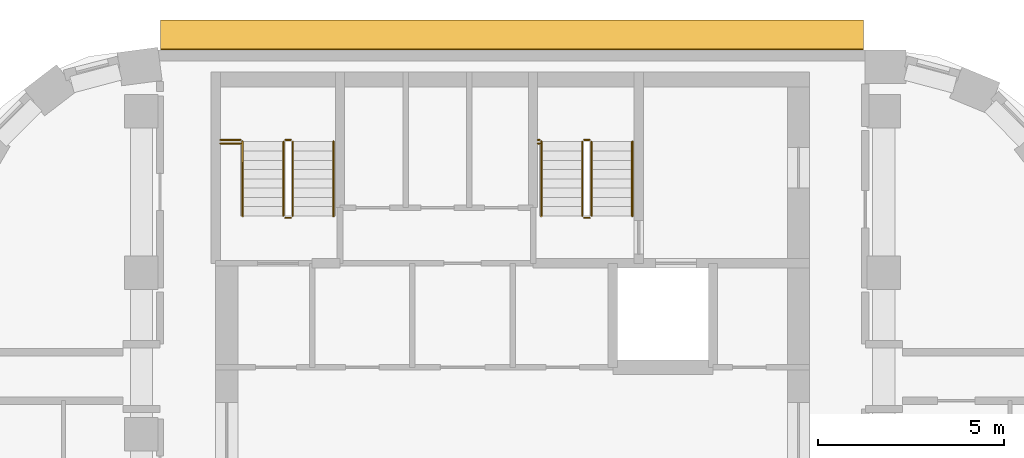
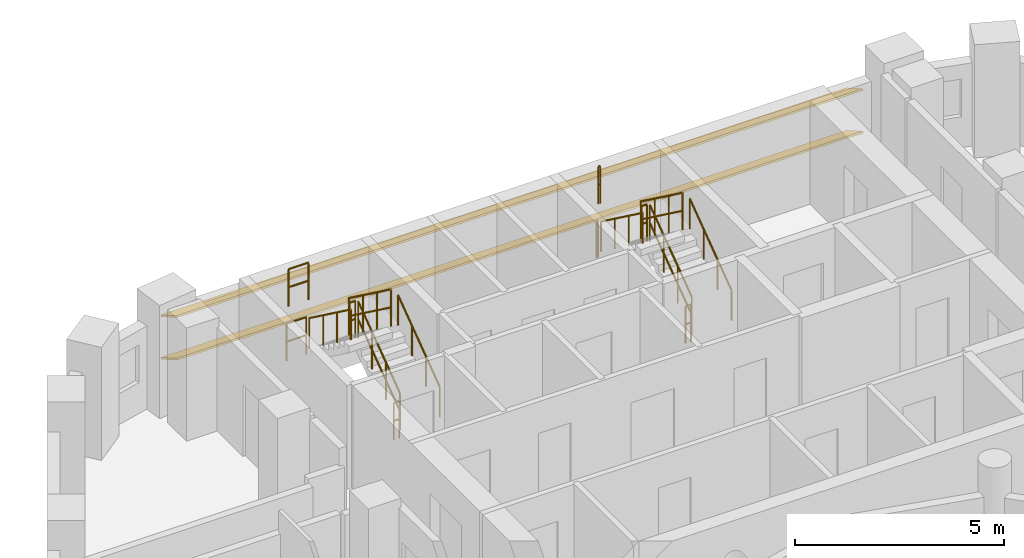
# One storey, part 12 of 12: 16 railings, 2 shading devices.
"""IFC4 building model written with IfcOpenShell, lengths in metres."""

from ifc_helpers import new_model, si_unit, direction, frame, origin, origin_2d, place, context, subcontext, project, spatial, rectangle, circle, extrude, material, material_profile, profile_set, type_object, element, save


model = new_model("IFC4")

# Units and contexts
model_context = context("Model", 3, precision=1e-05, world=origin(), true_north=direction((0.0, 1.0)))
body_context = subcontext(model_context, "Body", "Model", "MODEL_VIEW")
ifc_project = project(units=[si_unit("LENGTHUNIT", "METRE"), si_unit("AREAUNIT", "SQUARE_METRE"), si_unit("VOLUMEUNIT", "CUBIC_METRE"), si_unit("PLANEANGLEUNIT", "RADIAN"), si_unit("MASSUNIT", "GRAM", prefix="KILO")], contexts=[model_context])

# Site, building, storey
site_placement = place(None, origin())
site = spatial("IfcSite", under=ifc_project, at=site_placement, CompositionType="ELEMENT")
building_placement = place(site_placement, origin())
building = spatial("IfcBuilding", under=site, at=building_placement, Name="Nakaniwa Court", CompositionType="ELEMENT")
storey_placement = place(building_placement, frame((0.0, 0.0, 249.300048828125)))
storey = spatial("IfcBuildingStorey", under=building, at=storey_placement, Name="L65", CompositionType="ELEMENT", Elevation=249.300048828125)

# Shading devices
ifc_material_1 = material(Name="Perforated charcoal ceramic louvre blade")
ifc_material_profile = material_profile(ifc_material_1, rectangle(XDim=0.89990234375, YDim=0.050048828125, at=origin_2d()), Name="Perforated ceramic louvre blade")
ifc_profile_set = profile_set([ifc_material_profile], Name="Perforated charcoal ceramic louvre blade")
shading_device_type = type_object("IfcShadingDeviceType", Name="Perforated ceramic louvre blade", PredefinedType="JALOUSIE", material=ifc_profile_set)
for number, where, z_axis, x_axis, name in (
    (1, (89.44921875, 103.05224609375, 0.550048828125), (-1.0, 0.0, 0.0), (0.0, -0.866025403784, 0.5), "L65 perforated ceramic louvre blade w08 1"),
    (2, (89.44921875, 103.05224609375, 1.793212890625), (-1.0, 0.0, 0.0), (0.0, -0.866025403784, 0.5), "L65 perforated ceramic louvre blade w08 2"),
):
    element("IfcShadingDevice", number, at=place(storey_placement, frame(where, z_axis=z_axis, x_axis=x_axis)), inside=storey, type_object=shading_device_type, Name=name, PredefinedType="JALOUSIE", context=body_context, shape_type="SweptSolid", body=[
        extrude(rectangle(XDim=0.89990234375, YDim=0.050048828125, at=origin_2d()), origin(), (0.0, 0.0, 1.0), 18.933349609375),
    ])

# Railings
ifc_material_2 = material(Name="Black powder coated steel guard", Category="steel")
railing_type_1 = type_object("IfcRailingType", Name="Stair guard 1100", PredefinedType="GUARDRAIL", material=ifc_material_2)
railing_1_placement = place(storey_placement, frame((74.074951171875, 98.175048828125, 0.183349609375)))
element("IfcRailing", 3, at=railing_1_placement, inside=storey, type_object=railing_type_1, Name="L65 ST1 stair guard 1", PredefinedType="GUARDRAIL", context=body_context, shape_type="SweptSolid", body=[
    extrude(circle(Radius=0.02392578125, at=origin_2d()), frame((0.0, 0.0, 1.076171875), z_axis=(0.0, 0.806426902644, 0.591333789573), x_axis=(-1.0, 0.0, 0.0)), (0.0, 0.0, 1.0), 2.47998046875),
    extrude(circle(Radius=0.02392578125, at=origin_2d()), frame((0.0, 0.0, 0.550048828125), z_axis=(0.0, 0.806426902644, 0.591333789573), x_axis=(-1.0, 0.0, 0.0)), (0.0, 0.0, 1.0), 2.47998046875),
    extrude(circle(Radius=0.02099609375, at=origin_2d()), origin(), (0.0, 0.0, 1.0), 1.052001953125),
    extrude(circle(Radius=0.02099609375, at=origin_2d()), frame((0.0, 0.666748046875, 0.48876953125)), (0.0, 0.0, 1.0), 1.052001953125),
    extrude(circle(Radius=0.02099609375, at=origin_2d()), frame((0.0, 1.333251953125, 0.977783203125)), (0.0, 0.0, 1.0), 1.052001953125),
    extrude(circle(Radius=0.02099609375, at=origin_2d()), frame((0.0, 2.0, 1.466552734375)), (0.0, 0.0, 1.0), 1.052001953125),
])
railing_2_placement = place(storey_placement, frame((74.02490234375, 100.22509765625, 1.64990234375)))
element("IfcRailing", 4, at=railing_2_placement, inside=storey, type_object=railing_type_1, Name="L65 ST1 stair guard 2", PredefinedType="GUARDRAIL", context=body_context, shape_type="SweptSolid", body=[
    extrude(circle(Radius=0.02392578125, at=origin_2d()), frame((0.0, 0.0, 1.076171875), z_axis=(-1.0, 0.0, 0.0), x_axis=(0.0, -1.0, 0.0)), (0.0, 0.0, 1.0), 0.14990234375),
    extrude(circle(Radius=0.02392578125, at=origin_2d()), frame((0.0, 0.0, 0.550048828125), z_axis=(-1.0, 0.0, 0.0), x_axis=(0.0, -1.0, 0.0)), (0.0, 0.0, 1.0), 0.14990234375),
    extrude(circle(Radius=0.02099609375, at=origin_2d()), origin(), (0.0, 0.0, 1.0), 1.052001953125),
    extrude(circle(Radius=0.02099609375, at=origin_2d()), frame((-0.14990234375, 0.0, 0.0)), (0.0, 0.0, 1.0), 1.052001953125),
])
railing_3_placement = place(storey_placement, frame((73.824951171875, 100.175048828125, 1.833251953125)))
element("IfcRailing", 5, at=railing_3_placement, inside=storey, type_object=railing_type_1, Name="L65 ST1 stair guard 3", PredefinedType="GUARDRAIL", context=body_context, shape_type="SweptSolid", body=[
    extrude(circle(Radius=0.02392578125, at=origin_2d()), frame((0.0, 0.0, 1.076171875), z_axis=(0.0, -0.806379959628, 0.591397802423), x_axis=(1.0, 0.0, 0.0)), (0.0, 0.0, 1.0), 2.480224609375),
    extrude(circle(Radius=0.02392578125, at=origin_2d()), frame((0.0, 0.0, 0.550048828125), z_axis=(0.0, -0.806379959628, 0.591397802423), x_axis=(1.0, 0.0, 0.0)), (0.0, 0.0, 1.0), 2.480224609375),
    extrude(circle(Radius=0.02099609375, at=origin_2d()), origin(), (0.0, 0.0, 1.0), 1.052001953125),
    extrude(circle(Radius=0.02099609375, at=origin_2d()), frame((0.0, -0.666748046875, 0.489013671875)), (0.0, 0.0, 1.0), 1.052001953125),
    extrude(circle(Radius=0.02099609375, at=origin_2d()), frame((0.0, -1.333251953125, 0.977783203125)), (0.0, 0.0, 1.0), 1.052001953125),
    extrude(circle(Radius=0.02099609375, at=origin_2d()), frame((0.0, -2.0, 1.466796875)), (0.0, 0.0, 1.0), 1.052001953125),
])
railing_4_placement = place(storey_placement, frame((74.02490234375, 98.125, 0.0)))
element("IfcRailing", 6, at=railing_4_placement, inside=storey, type_object=railing_type_1, Name="L65 ST1 stair guard 4", PredefinedType="GUARDRAIL", context=body_context, shape_type="SweptSolid", body=[
    extrude(circle(Radius=0.02392578125, at=origin_2d()), frame((0.0, 0.0, 1.076171875), z_axis=(-1.0, 0.0, 0.0), x_axis=(0.0, -1.0, 0.0)), (0.0, 0.0, 1.0), 0.14990234375),
    extrude(circle(Radius=0.02392578125, at=origin_2d()), frame((0.0, 0.0, 0.550048828125), z_axis=(-1.0, 0.0, 0.0), x_axis=(0.0, -1.0, 0.0)), (0.0, 0.0, 1.0), 0.14990234375),
    extrude(circle(Radius=0.02099609375, at=origin_2d()), origin(), (0.0, 0.0, 1.0), 1.052001953125),
    extrude(circle(Radius=0.02099609375, at=origin_2d()), frame((-0.14990234375, 0.0, 0.0)), (0.0, 0.0, 1.0), 1.052001953125),
])
for number, where, name in (
    (7, (72.125, 100.22509765625, 1.64990234375), "L65 ST1 landing side guard 1W"),
    (8, (72.125, 100.125, 3.300048828125), "L65 ST1 floor edge guard 1W"),
):
    element("IfcRailing", number, at=place(storey_placement, frame(where)), inside=storey, type_object=railing_type_1, Name=name, PredefinedType="GUARDRAIL", context=body_context, shape_type="SweptSolid", body=[
        extrude(circle(Radius=0.02392578125, at=origin_2d()), frame((0.0, 0.0, 1.076171875), z_axis=(1.0, 0.0, 0.0), x_axis=(0.0, 1.0, 0.0)), (0.0, 0.0, 1.0), 0.550048828125),
        extrude(circle(Radius=0.02392578125, at=origin_2d()), frame((0.0, 0.0, 0.550048828125), z_axis=(1.0, 0.0, 0.0), x_axis=(0.0, 1.0, 0.0)), (0.0, 0.0, 1.0), 0.550048828125),
        extrude(circle(Radius=0.02099609375, at=origin_2d()), origin(), (0.0, 0.0, 1.0), 1.052001953125),
        extrude(circle(Radius=0.02099609375, at=origin_2d()), frame((0.550048828125, 0.0, 0.0)), (0.0, 0.0, 1.0), 1.052001953125),
    ])
railing_5_placement = place(storey_placement, frame((82.125, 98.175048828125, 0.183349609375)))
element("IfcRailing", 9, at=railing_5_placement, inside=storey, type_object=railing_type_1, Name="L65 ST2 stair guard 1", PredefinedType="GUARDRAIL", context=body_context, shape_type="SweptSolid", body=[
    extrude(circle(Radius=0.02392578125, at=origin_2d()), frame((0.0, 0.0, 1.076171875), z_axis=(0.0, 0.806426902644, 0.591333789573), x_axis=(-1.0, 0.0, 0.0)), (0.0, 0.0, 1.0), 2.47998046875),
    extrude(circle(Radius=0.02392578125, at=origin_2d()), frame((0.0, 0.0, 0.550048828125), z_axis=(0.0, 0.806426902644, 0.591333789573), x_axis=(-1.0, 0.0, 0.0)), (0.0, 0.0, 1.0), 2.47998046875),
    extrude(circle(Radius=0.02099609375, at=origin_2d()), origin(), (0.0, 0.0, 1.0), 1.052001953125),
    extrude(circle(Radius=0.02099609375, at=origin_2d()), frame((0.0, 0.666748046875, 0.48876953125)), (0.0, 0.0, 1.0), 1.052001953125),
    extrude(circle(Radius=0.02099609375, at=origin_2d()), frame((0.0, 1.333251953125, 0.977783203125)), (0.0, 0.0, 1.0), 1.052001953125),
    extrude(circle(Radius=0.02099609375, at=origin_2d()), frame((0.0, 2.0, 1.466552734375)), (0.0, 0.0, 1.0), 1.052001953125),
])
railing_6_placement = place(storey_placement, frame((82.074951171875, 100.22509765625, 1.64990234375)))
element("IfcRailing", 10, at=railing_6_placement, inside=storey, type_object=railing_type_1, Name="L65 ST2 stair guard 2", PredefinedType="GUARDRAIL", context=body_context, shape_type="SweptSolid", body=[
    extrude(circle(Radius=0.02392578125, at=origin_2d()), frame((0.0, 0.0, 1.076171875), z_axis=(-1.0, 0.0, 0.0), x_axis=(0.0, -1.0, 0.0)), (0.0, 0.0, 1.0), 0.14990234375),
    extrude(circle(Radius=0.02392578125, at=origin_2d()), frame((0.0, 0.0, 0.550048828125), z_axis=(-1.0, 0.0, 0.0), x_axis=(0.0, -1.0, 0.0)), (0.0, 0.0, 1.0), 0.14990234375),
    extrude(circle(Radius=0.02099609375, at=origin_2d()), origin(), (0.0, 0.0, 1.0), 1.052001953125),
    extrude(circle(Radius=0.02099609375, at=origin_2d()), frame((-0.14990234375, 0.0, 0.0)), (0.0, 0.0, 1.0), 1.052001953125),
])
railing_7_placement = place(storey_placement, frame((81.875, 100.175048828125, 1.833251953125)))
element("IfcRailing", 11, at=railing_7_placement, inside=storey, type_object=railing_type_1, Name="L65 ST2 stair guard 3", PredefinedType="GUARDRAIL", context=body_context, shape_type="SweptSolid", body=[
    extrude(circle(Radius=0.02392578125, at=origin_2d()), frame((0.0, 0.0, 1.076171875), z_axis=(0.0, -0.806379959628, 0.591397802423), x_axis=(1.0, 0.0, 0.0)), (0.0, 0.0, 1.0), 2.480224609375),
    extrude(circle(Radius=0.02392578125, at=origin_2d()), frame((0.0, 0.0, 0.550048828125), z_axis=(0.0, -0.806379959628, 0.591397802423), x_axis=(1.0, 0.0, 0.0)), (0.0, 0.0, 1.0), 2.480224609375),
    extrude(circle(Radius=0.02099609375, at=origin_2d()), origin(), (0.0, 0.0, 1.0), 1.052001953125),
    extrude(circle(Radius=0.02099609375, at=origin_2d()), frame((0.0, -0.666748046875, 0.489013671875)), (0.0, 0.0, 1.0), 1.052001953125),
    extrude(circle(Radius=0.02099609375, at=origin_2d()), frame((0.0, -1.333251953125, 0.977783203125)), (0.0, 0.0, 1.0), 1.052001953125),
    extrude(circle(Radius=0.02099609375, at=origin_2d()), frame((0.0, -2.0, 1.466796875)), (0.0, 0.0, 1.0), 1.052001953125),
])
railing_8_placement = place(storey_placement, frame((82.074951171875, 98.125, 0.0)))
element("IfcRailing", 12, at=railing_8_placement, inside=storey, type_object=railing_type_1, Name="L65 ST2 stair guard 4", PredefinedType="GUARDRAIL", context=body_context, shape_type="SweptSolid", body=[
    extrude(circle(Radius=0.02392578125, at=origin_2d()), frame((0.0, 0.0, 1.076171875), z_axis=(-1.0, 0.0, 0.0), x_axis=(0.0, -1.0, 0.0)), (0.0, 0.0, 1.0), 0.14990234375),
    extrude(circle(Radius=0.02392578125, at=origin_2d()), frame((0.0, 0.0, 0.550048828125), z_axis=(-1.0, 0.0, 0.0), x_axis=(0.0, -1.0, 0.0)), (0.0, 0.0, 1.0), 0.14990234375),
    extrude(circle(Radius=0.02099609375, at=origin_2d()), origin(), (0.0, 0.0, 1.0), 1.052001953125),
    extrude(circle(Radius=0.02099609375, at=origin_2d()), frame((-0.14990234375, 0.0, 0.0)), (0.0, 0.0, 1.0), 1.052001953125),
])
for number, where, name in (
    (13, (80.675048828125, 100.22509765625, 1.64990234375), "L65 ST2 landing side guard 1W"),
    (14, (80.675048828125, 100.125, 3.300048828125), "L65 ST2 floor edge guard 1W"),
):
    element("IfcRailing", number, at=place(storey_placement, frame(where)), inside=storey, type_object=railing_type_1, Name=name, PredefinedType="GUARDRAIL", context=body_context, shape_type="SweptSolid", body=[
        extrude(circle(Radius=0.02392578125, at=origin_2d()), frame((0.0, 0.0, 1.076171875), z_axis=(1.0, 0.0, 0.0), x_axis=(0.0, 1.0, 0.0)), (0.0, 0.0, 1.0), 0.050048828125),
        extrude(circle(Radius=0.02392578125, at=origin_2d()), frame((0.0, 0.0, 0.550048828125), z_axis=(1.0, 0.0, 0.0), x_axis=(0.0, 1.0, 0.0)), (0.0, 0.0, 1.0), 0.050048828125),
        extrude(circle(Radius=0.02099609375, at=origin_2d()), origin(), (0.0, 0.0, 1.0), 1.052001953125),
        extrude(circle(Radius=0.02099609375, at=origin_2d()), frame((0.050048828125, 0.0, 0.0)), (0.0, 0.0, 1.0), 1.052001953125),
    ])
ifc_material_3 = material(Name="Black powder coated steel handrail", Category="steel")
railing_type_2 = type_object("IfcRailingType", Name="Stair handrail 900", PredefinedType="HANDRAIL", material=ifc_material_3)
railing_9_placement = place(storey_placement, frame((75.175048828125, 98.175048828125, 0.183349609375)))
element("IfcRailing", 15, at=railing_9_placement, inside=storey, type_object=railing_type_2, Name="L65 ST1 stair handrail 1", PredefinedType="HANDRAIL", context=body_context, shape_type="SweptSolid", body=[
    extrude(circle(Radius=0.02392578125, at=origin_2d()), frame((0.0, 0.0, 0.8759765625), z_axis=(0.0, 0.806426902644, 0.591333789573), x_axis=(-1.0, 0.0, 0.0)), (0.0, 0.0, 1.0), 2.47998046875),
    extrude(circle(Radius=0.02099609375, at=origin_2d()), origin(), (0.0, 0.0, 1.0), 0.851806640625),
    extrude(circle(Radius=0.02099609375, at=origin_2d()), frame((0.0, 0.666748046875, 0.48876953125)), (0.0, 0.0, 1.0), 0.851806640625),
    extrude(circle(Radius=0.02099609375, at=origin_2d()), frame((0.0, 1.333251953125, 0.977783203125)), (0.0, 0.0, 1.0), 0.851806640625),
    extrude(circle(Radius=0.02099609375, at=origin_2d()), frame((0.0, 2.0, 1.466552734375)), (0.0, 0.0, 1.0), 0.851806640625),
])
railing_10_placement = place(storey_placement, frame((72.72509765625, 100.175048828125, 1.833251953125)))
element("IfcRailing", 16, at=railing_10_placement, inside=storey, type_object=railing_type_2, Name="L65 ST1 stair handrail 2", PredefinedType="HANDRAIL", context=body_context, shape_type="SweptSolid", body=[
    extrude(circle(Radius=0.02392578125, at=origin_2d()), frame((0.0, 0.0, 0.8759765625), z_axis=(0.0, -0.806379959628, 0.591397802423), x_axis=(1.0, 0.0, 0.0)), (0.0, 0.0, 1.0), 2.480224609375),
    extrude(circle(Radius=0.02099609375, at=origin_2d()), origin(), (0.0, 0.0, 1.0), 0.851806640625),
    extrude(circle(Radius=0.02099609375, at=origin_2d()), frame((0.0, -0.666748046875, 0.489013671875)), (0.0, 0.0, 1.0), 0.851806640625),
    extrude(circle(Radius=0.02099609375, at=origin_2d()), frame((0.0, -1.333251953125, 0.977783203125)), (0.0, 0.0, 1.0), 0.851806640625),
    extrude(circle(Radius=0.02099609375, at=origin_2d()), frame((0.0, -2.0, 1.466796875)), (0.0, 0.0, 1.0), 0.851806640625),
])
railing_11_placement = place(storey_placement, frame((83.22509765625, 98.175048828125, 0.183349609375)))
element("IfcRailing", 17, at=railing_11_placement, inside=storey, type_object=railing_type_2, Name="L65 ST2 stair handrail 1", PredefinedType="HANDRAIL", context=body_context, shape_type="SweptSolid", body=[
    extrude(circle(Radius=0.02392578125, at=origin_2d()), frame((0.0, 0.0, 0.8759765625), z_axis=(0.0, 0.806426902644, 0.591333789573), x_axis=(-1.0, 0.0, 0.0)), (0.0, 0.0, 1.0), 2.47998046875),
    extrude(circle(Radius=0.02099609375, at=origin_2d()), origin(), (0.0, 0.0, 1.0), 0.851806640625),
    extrude(circle(Radius=0.02099609375, at=origin_2d()), frame((0.0, 0.666748046875, 0.48876953125)), (0.0, 0.0, 1.0), 0.851806640625),
    extrude(circle(Radius=0.02099609375, at=origin_2d()), frame((0.0, 1.333251953125, 0.977783203125)), (0.0, 0.0, 1.0), 0.851806640625),
    extrude(circle(Radius=0.02099609375, at=origin_2d()), frame((0.0, 2.0, 1.466552734375)), (0.0, 0.0, 1.0), 0.851806640625),
])
railing_12_placement = place(storey_placement, frame((80.77490234375, 100.175048828125, 1.833251953125)))
element("IfcRailing", 18, at=railing_12_placement, inside=storey, type_object=railing_type_2, Name="L65 ST2 stair handrail 2", PredefinedType="HANDRAIL", context=body_context, shape_type="SweptSolid", body=[
    extrude(circle(Radius=0.02392578125, at=origin_2d()), frame((0.0, 0.0, 0.8759765625), z_axis=(0.0, -0.806379959628, 0.591397802423), x_axis=(1.0, 0.0, 0.0)), (0.0, 0.0, 1.0), 2.480224609375),
    extrude(circle(Radius=0.02099609375, at=origin_2d()), origin(), (0.0, 0.0, 1.0), 0.851806640625),
    extrude(circle(Radius=0.02099609375, at=origin_2d()), frame((0.0, -0.666748046875, 0.489013671875)), (0.0, 0.0, 1.0), 0.851806640625),
    extrude(circle(Radius=0.02099609375, at=origin_2d()), frame((0.0, -1.333251953125, 0.977783203125)), (0.0, 0.0, 1.0), 0.851806640625),
    extrude(circle(Radius=0.02099609375, at=origin_2d()), frame((0.0, -2.0, 1.466796875)), (0.0, 0.0, 1.0), 0.851806640625),
])

save(model, "model.ifc")
